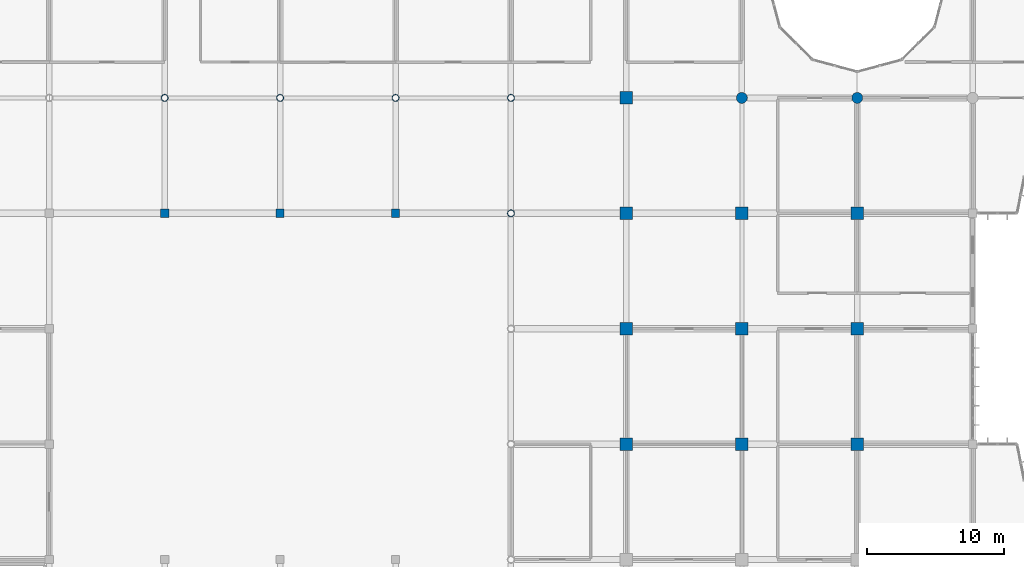
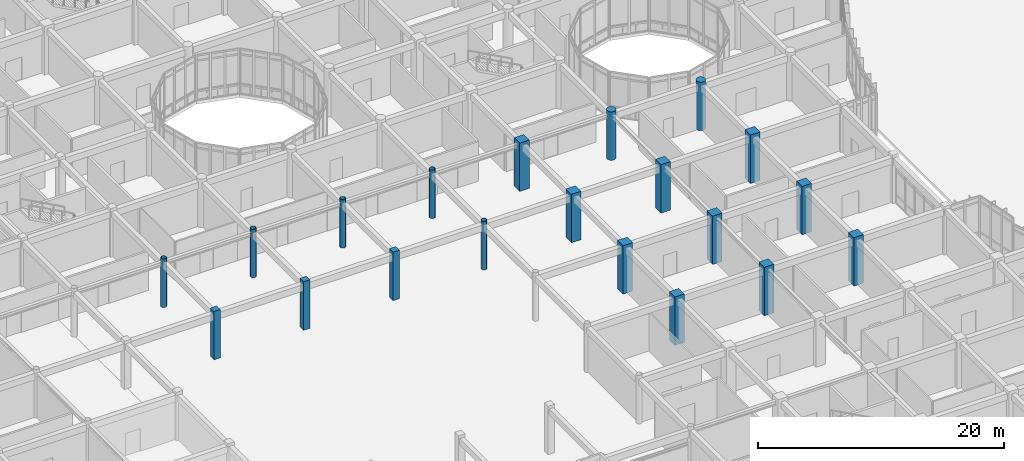
# One storey, part 7 of 138: 20 columns.
"""IFC4 building model written with IfcOpenShell, lengths in metres."""

from ifc_helpers import new_model, si_unit, direction, frame, origin, origin_2d, place, context, subcontext, project, spatial, rectangle, circle, hollow_circle, extrude, material, material_profile, profile_set, type_object, element, save


model = new_model("IFC4")

# Units and contexts
model_context = context("Model", 3, precision=1e-05, world=origin(), true_north=direction((0.0, 1.0)))
body_context = subcontext(model_context, "Body", "Model", "MODEL_VIEW")
ifc_project = project(units=[si_unit("LENGTHUNIT", "METRE"), si_unit("AREAUNIT", "SQUARE_METRE"), si_unit("VOLUMEUNIT", "CUBIC_METRE"), si_unit("PLANEANGLEUNIT", "RADIAN"), si_unit("MASSUNIT", "GRAM", prefix="KILO")], contexts=[model_context])

# Site, building, storey
site_placement = place(None, origin())
site = spatial("IfcSite", under=ifc_project, at=site_placement, CompositionType="ELEMENT")
building_placement = place(site_placement, origin())
building = spatial("IfcBuilding", under=site, at=building_placement, Name="Bramfleet General Hospital", CompositionType="ELEMENT")
storey_placement = place(building_placement, origin())
storey = spatial("IfcBuildingStorey", under=building, at=storey_placement, Name="L00", CompositionType="ELEMENT", Elevation=0.0)

# Columns
ifc_material_1 = material(Name="Steel S355", Category="steel")
ifc_material_profile_1 = material_profile(ifc_material_1, hollow_circle(Radius=0.25390625, WallThickness=0.02001953125, at=origin_2d()), Name="CHS 508.0x20.0")
ifc_profile_set_1 = profile_set([ifc_material_profile_1], Name="Steel S355")
column_type_1 = type_object("IfcColumnType", Name="COL-CHS508", PredefinedType="COLUMN", material=ifc_profile_set_1)
for number, where, z_axis, x_axis, name in (
    (1, (67.199951171875, 58.800048828125, 0.0), (0.0, 0.0, 1.0), (1.0, 0.0, 0.0), "Column COL-L00-08-07"),
    (2, (75.60009765625, 58.800048828125, 0.0), (0.0, 0.0, 1.0), (1.0, 0.0, 0.0), "Column COL-L00-09-07"),
    (3, (84.0, 58.800048828125, 0.0), (0.0, 0.0, 1.0), (1.0, 0.0, 0.0), "Column COL-L00-10-07"),
    (4, (92.39990234375, 50.39990234375, 0.0), (0.0, 0.0, 1.0), (1.0, 0.0, 0.0), "Column COL-L00-11-06"),
    (5, (92.39990234375, 58.800048828125, 0.0), (0.0, 0.0, 1.0), (1.0, 0.0, 0.0), "Column COL-L00-11-07"),
):
    element("IfcColumn", number, at=place(storey_placement, frame(where, z_axis=z_axis, x_axis=x_axis)), inside=storey, type_object=column_type_1, Name=name, PredefinedType="COLUMN", context=body_context, shape_type="SweptSolid", body=[
        extrude(hollow_circle(Radius=0.25390625, WallThickness=0.02001953125, at=origin_2d()), origin(), (0.0, 0.0, 1.0), 4.800048828125),
    ])
ifc_material_2 = material(Name="Concrete C40/50", Category="concrete")
ifc_material_profile_2 = material_profile(ifc_material_2, rectangle(XDim=0.60009765625, YDim=0.60009765625, at=origin_2d()), Name="RC COL 600x600")
ifc_profile_set_2 = profile_set([ifc_material_profile_2], Name="Concrete C40/50")
column_type_2 = type_object("IfcColumnType", Name="COL-RC600", PredefinedType="COLUMN", material=ifc_profile_set_2)
for number, where, z_axis, x_axis, name in (
    (6, (67.199951171875, 50.39990234375, 0.0), (0.0, 0.0, 1.0), (1.0, 0.0, 0.0), "Column COL-L00-08-06"),
    (7, (75.60009765625, 50.39990234375, 0.0), (0.0, 0.0, 1.0), (1.0, 0.0, 0.0), "Column COL-L00-09-06"),
    (8, (84.0, 50.39990234375, 0.0), (0.0, 0.0, 1.0), (1.0, 0.0, 0.0), "Column COL-L00-10-06"),
):
    element("IfcColumn", number, at=place(storey_placement, frame(where, z_axis=z_axis, x_axis=x_axis)), inside=storey, type_object=column_type_2, Name=name, PredefinedType="COLUMN", context=body_context, shape_type="SweptSolid", body=[
        extrude(rectangle(XDim=0.60009765625, YDim=0.60009765625, at=origin_2d()), origin(), (0.0, 0.0, 1.0), 4.800048828125),
    ])
ifc_material_profile_3 = material_profile(ifc_material_2, rectangle(XDim=0.89990234375, YDim=0.89990234375, at=origin_2d()), Name="RC COL 900x900")
ifc_profile_set_3 = profile_set([ifc_material_profile_3], Name="Concrete C40/50")
column_type_3 = type_object("IfcColumnType", Name="COL-RC900", PredefinedType="COLUMN", material=ifc_profile_set_3)
for number, where, z_axis, x_axis, name in (
    (9, (100.800048828125, 33.60009765625, 0.0), (0.0, 0.0, 1.0), (1.0, 0.0, 0.0), "Column COL-L00-12-04"),
    (10, (100.800048828125, 42.0, 0.0), (0.0, 0.0, 1.0), (1.0, 0.0, 0.0), "Column COL-L00-12-05"),
    (11, (100.800048828125, 50.39990234375, 0.0), (0.0, 0.0, 1.0), (1.0, 0.0, 0.0), "Column COL-L00-12-06"),
    (12, (100.800048828125, 58.800048828125, 0.0), (0.0, 0.0, 1.0), (1.0, 0.0, 0.0), "Column COL-L00-12-07"),
    (13, (109.199951171875, 33.60009765625, 0.0), (0.0, 0.0, 1.0), (1.0, 0.0, 0.0), "Column COL-L00-13-04"),
    (14, (109.199951171875, 42.0, 0.0), (0.0, 0.0, 1.0), (1.0, 0.0, 0.0), "Column COL-L00-13-05"),
    (15, (109.199951171875, 50.39990234375, 0.0), (0.0, 0.0, 1.0), (1.0, 0.0, 0.0), "Column COL-L00-13-06"),
    (16, (117.60009765625, 33.60009765625, 0.0), (0.0, 0.0, 1.0), (1.0, 0.0, 0.0), "Column COL-L00-14-04"),
    (17, (117.60009765625, 42.0, 0.0), (0.0, 0.0, 1.0), (1.0, 0.0, 0.0), "Column COL-L00-14-05"),
    (18, (117.60009765625, 50.39990234375, 0.0), (0.0, 0.0, 1.0), (1.0, 0.0, 0.0), "Column COL-L00-14-06"),
):
    element("IfcColumn", number, at=place(storey_placement, frame(where, z_axis=z_axis, x_axis=x_axis)), inside=storey, type_object=column_type_3, Name=name, PredefinedType="COLUMN", context=body_context, shape_type="SweptSolid", body=[
        extrude(rectangle(XDim=0.89990234375, YDim=0.89990234375, at=origin_2d()), origin(), (0.0, 0.0, 1.0), 4.800048828125),
    ])
ifc_material_profile_4 = material_profile(ifc_material_2, circle(Radius=0.39990234375, at=origin_2d()), Name="RC ROUND D800")
ifc_profile_set_4 = profile_set([ifc_material_profile_4], Name="Concrete C40/50")
column_type_4 = type_object("IfcColumnType", Name="COL-RCD800", PredefinedType="COLUMN", material=ifc_profile_set_4)
for number, where, z_axis, x_axis, name in (
    (19, (109.199951171875, 58.800048828125, 0.0), (0.0, 0.0, 1.0), (1.0, 0.0, 0.0), "Column COL-L00-13-07"),
    (20, (117.60009765625, 58.800048828125, 0.0), (0.0, 0.0, 1.0), (1.0, 0.0, 0.0), "Column COL-L00-14-07"),
):
    element("IfcColumn", number, at=place(storey_placement, frame(where, z_axis=z_axis, x_axis=x_axis)), inside=storey, type_object=column_type_4, Name=name, PredefinedType="COLUMN", context=body_context, shape_type="SweptSolid", body=[
        extrude(circle(Radius=0.39990234375, at=origin_2d()), origin(), (0.0, 0.0, 1.0), 4.800048828125),
    ])

save(model, "model.ifc")
